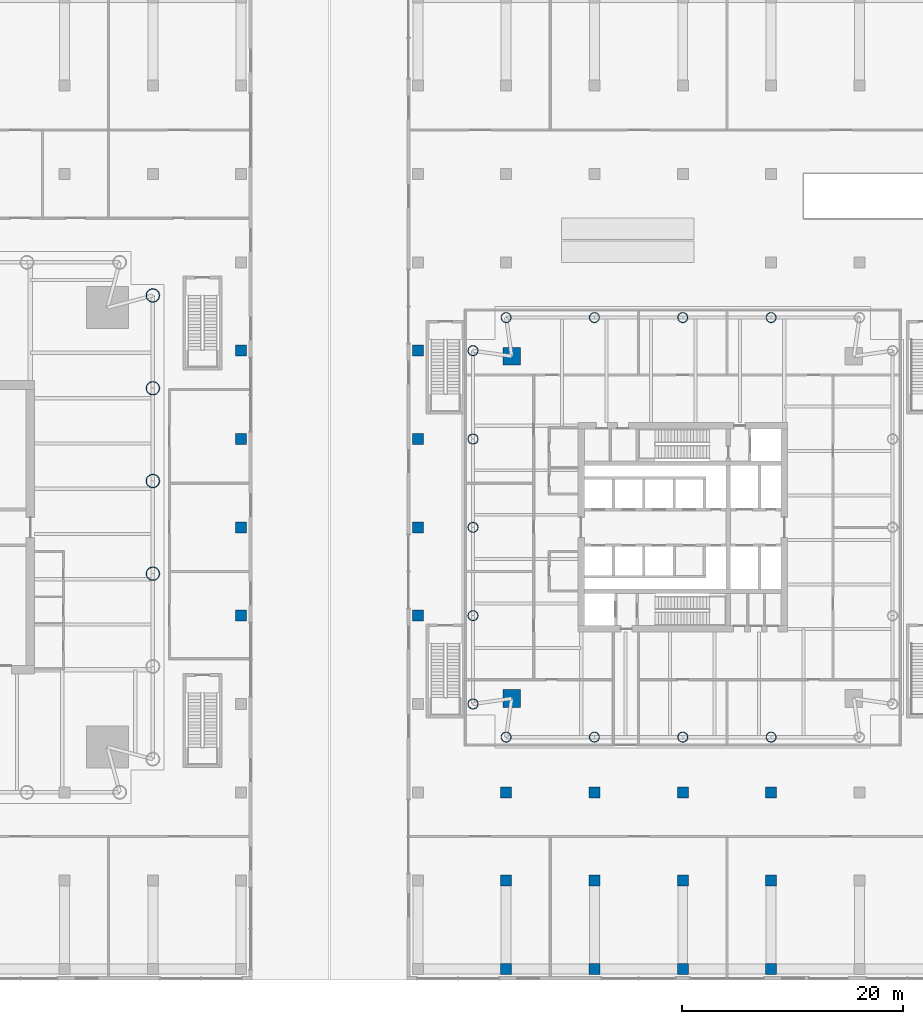
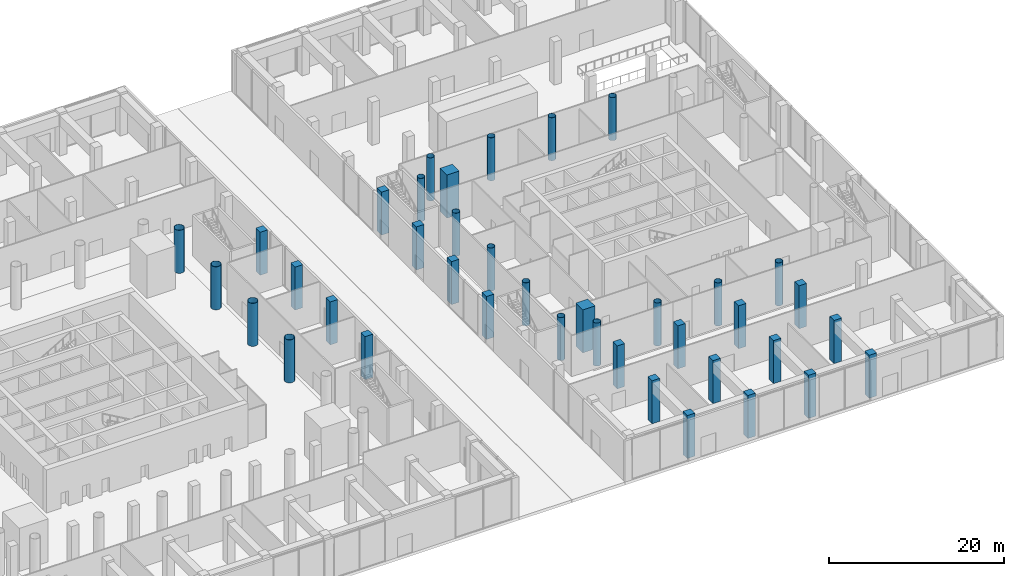
# One storey, part 2 of 39: 39 columns.
"""IFC4 building model written with IfcOpenShell, lengths in metres."""

from ifc_helpers import new_model, si_unit, direction, frame, origin, origin_2d, place, context, subcontext, project, spatial, rectangle, hollow_circle, extrude, material, material_profile, profile_set, type_object, element, save


model = new_model("IFC4")

# Units and contexts
model_context = context("Model", 3, precision=1e-05, world=origin(), true_north=direction((0.0, 1.0)))
body_context = subcontext(model_context, "Body", "Model", "MODEL_VIEW")
ifc_project = project(units=[si_unit("LENGTHUNIT", "METRE"), si_unit("AREAUNIT", "SQUARE_METRE"), si_unit("VOLUMEUNIT", "CUBIC_METRE"), si_unit("PLANEANGLEUNIT", "RADIAN"), si_unit("MASSUNIT", "GRAM", prefix="KILO")], contexts=[model_context])

# Site, building, storey
site_placement = place(None, origin())
site = spatial("IfcSite", under=ifc_project, at=site_placement, CompositionType="ELEMENT")
building_placement = place(site_placement, origin())
building = spatial("IfcBuilding", under=site, at=building_placement, Name="Ostroluk Exchange", CompositionType="ELEMENT")
storey_placement = place(building_placement, origin())
storey = spatial("IfcBuildingStorey", under=building, at=storey_placement, Name="L00", CompositionType="ELEMENT", Elevation=0.0)

# Columns
ifc_material_1 = material(Name="Concrete C50/60", Category="concrete")
ifc_material_profile_1 = material_profile(ifc_material_1, rectangle(XDim=1.60009765625, YDim=1.60009765625, at=origin_2d()), Name="RC 1600x1600")
ifc_profile_set_1 = profile_set([ifc_material_profile_1], Name="Concrete C50/60")
column_type_1 = type_object("IfcColumnType", Name="Mega column RC 1600x1600", PredefinedType="COLUMN", material=ifc_profile_set_1)
for number, where, z_axis, x_axis, name in (
    (1, (101.5, 61.5, 0.0), (0.0, 0.0, 1.0), (1.0, 0.0, 0.0), "T2 mega column NW"),
    (2, (101.5, 30.5, 0.0), (0.0, 0.0, 1.0), (1.0, 0.0, 0.0), "T2 mega column SW"),
):
    element("IfcColumn", number, at=place(storey_placement, frame(where, z_axis=z_axis, x_axis=x_axis)), inside=storey, type_object=column_type_1, Name=name, PredefinedType="COLUMN", context=body_context, shape_type="SweptSolid", body=[
        extrude(rectangle(XDim=1.60009765625, YDim=1.60009765625, at=origin_2d()), origin(), (0.0, 0.0, 1.0), 6.0),
    ])
ifc_material_2 = material(Name="Steel S460", Category="steel")
ifc_material_profile_2 = material_profile(ifc_material_2, hollow_circle(Radius=0.609619140625, WallThickness=0.0400390625, at=origin_2d()), Name="CHS 1219x40")
ifc_profile_set_2 = profile_set([ifc_material_profile_2], Name="Steel S460")
column_type_2 = type_object("IfcColumnType", Name="Perimeter column CHS 1219x40", PredefinedType="COLUMN", material=ifc_profile_set_2)
for number, where, z_axis, x_axis, name in (
    (3, (69.0, 67.0, 0.0), (0.0, 0.0, 1.0), (1.0, 0.0, 0.0), "T1 east face column E1"),
    (4, (69.0, 41.800048828125, 0.0), (0.0, 0.0, 1.0), (1.0, 0.0, 0.0), "T1 east face column I2"),
    (5, (69.0, 50.199951171875, 0.0), (0.0, 0.0, 1.0), (1.0, 0.0, 0.0), "T1 east face column I3"),
    (6, (69.0, 58.60009765625, 0.0), (0.0, 0.0, 1.0), (1.0, 0.0, 0.0), "T1 east face column I4"),
):
    element("IfcColumn", number, at=place(storey_placement, frame(where, z_axis=z_axis, x_axis=x_axis)), inside=storey, type_object=column_type_2, Name=name, PredefinedType="COLUMN", context=body_context, shape_type="SweptSolid", body=[
        extrude(hollow_circle(Radius=0.609619140625, WallThickness=0.0400390625, at=origin_2d()), origin(), (0.0, 0.0, 1.0), 6.0),
    ])
ifc_material_3 = material(Name="Steel S460", Category="steel")
ifc_material_profile_3 = material_profile(ifc_material_3, hollow_circle(Radius=0.45703125, WallThickness=0.030029296875, at=origin_2d()), Name="CHS 914x30")
ifc_profile_set_3 = profile_set([ifc_material_profile_3], Name="Steel S460")
column_type_3 = type_object("IfcColumnType", Name="Perimeter column CHS 914x30", PredefinedType="COLUMN", material=ifc_profile_set_3)
for number, where, z_axis, x_axis, name in (
    (7, (101.0, 65.0, 0.0), (0.0, 0.0, 1.0), (1.0, 0.0, 0.0), "T2 north face column E1"),
    (8, (125.0, 65.0, 0.0), (0.0, 0.0, 1.0), (1.0, 0.0, 0.0), "T2 north face column I1"),
    (9, (117.0, 65.0, 0.0), (0.0, 0.0, 1.0), (1.0, 0.0, 0.0), "T2 north face column I2"),
    (10, (109.0, 65.0, 0.0), (0.0, 0.0, 1.0), (1.0, 0.0, 0.0), "T2 north face column I3"),
    (11, (98.0, 62.0, 0.0), (0.0, 0.0, 1.0), (1.0, 0.0, 0.0), "T2 west face column E0"),
    (12, (98.0, 30.0, 0.0), (0.0, 0.0, 1.0), (1.0, 0.0, 0.0), "T2 west face column E1"),
    (13, (98.0, 54.0, 0.0), (0.0, 0.0, 1.0), (1.0, 0.0, 0.0), "T2 west face column I1"),
    (14, (98.0, 46.0, 0.0), (0.0, 0.0, 1.0), (1.0, 0.0, 0.0), "T2 west face column I2"),
    (15, (98.0, 38.0, 0.0), (0.0, 0.0, 1.0), (1.0, 0.0, 0.0), "T2 west face column I3"),
    (16, (101.0, 27.0, 0.0), (0.0, 0.0, 1.0), (1.0, 0.0, 0.0), "T2 south face column E0"),
    (17, (109.0, 27.0, 0.0), (0.0, 0.0, 1.0), (1.0, 0.0, 0.0), "T2 south face column I1"),
    (18, (117.0, 27.0, 0.0), (0.0, 0.0, 1.0), (1.0, 0.0, 0.0), "T2 south face column I2"),
    (19, (125.0, 27.0, 0.0), (0.0, 0.0, 1.0), (1.0, 0.0, 0.0), "T2 south face column I3"),
):
    element("IfcColumn", number, at=place(storey_placement, frame(where, z_axis=z_axis, x_axis=x_axis)), inside=storey, type_object=column_type_3, Name=name, PredefinedType="COLUMN", context=body_context, shape_type="SweptSolid", body=[
        extrude(hollow_circle(Radius=0.45703125, WallThickness=0.030029296875, at=origin_2d()), origin(), (0.0, 0.0, 1.0), 6.0),
    ])
ifc_material_4 = material(Name="Concrete C50/60", Category="concrete")
ifc_material_profile_4 = material_profile(ifc_material_4, rectangle(XDim=1.0, YDim=1.0, at=origin_2d()), Name="RC 1000x1000")
ifc_profile_set_4 = profile_set([ifc_material_profile_4], Name="Concrete C50/60")
column_type_4 = type_object("IfcColumnType", Name="Podium column RC 1000x1000", PredefinedType="COLUMN", material=ifc_profile_set_4)
for number, where, z_axis, x_axis, name in (
    (20, (77.0, 38.0, 0.0), (0.0, 0.0, 1.0), (1.0, 0.0, 0.0), "Podium column 77/38"),
    (21, (77.0, 46.0, 0.0), (0.0, 0.0, 1.0), (1.0, 0.0, 0.0), "Podium column 77/46"),
    (22, (77.0, 54.0, 0.0), (0.0, 0.0, 1.0), (1.0, 0.0, 0.0), "Podium column 77/54"),
    (23, (77.0, 62.0, 0.0), (0.0, 0.0, 1.0), (1.0, 0.0, 0.0), "Podium column 77/62"),
    (24, (93.0, 38.0, 0.0), (0.0, 0.0, 1.0), (1.0, 0.0, 0.0), "Podium column 93/38"),
    (25, (93.0, 46.0, 0.0), (0.0, 0.0, 1.0), (1.0, 0.0, 0.0), "Podium column 93/46"),
    (26, (93.0, 54.0, 0.0), (0.0, 0.0, 1.0), (1.0, 0.0, 0.0), "Podium column 93/54"),
    (27, (93.0, 62.0, 0.0), (0.0, 0.0, 1.0), (1.0, 0.0, 0.0), "Podium column 93/62"),
    (28, (101.0, 6.0, 0.0), (0.0, 0.0, 1.0), (1.0, 0.0, 0.0), "Podium column 101/6"),
    (29, (101.0, 14.0, 0.0), (0.0, 0.0, 1.0), (1.0, 0.0, 0.0), "Podium column 101/14"),
    (30, (101.0, 22.0, 0.0), (0.0, 0.0, 1.0), (1.0, 0.0, 0.0), "Podium column 101/22"),
    (31, (109.0, 6.0, 0.0), (0.0, 0.0, 1.0), (1.0, 0.0, 0.0), "Podium column 109/6"),
    (32, (109.0, 14.0, 0.0), (0.0, 0.0, 1.0), (1.0, 0.0, 0.0), "Podium column 109/14"),
    (33, (109.0, 22.0, 0.0), (0.0, 0.0, 1.0), (1.0, 0.0, 0.0), "Podium column 109/22"),
    (34, (117.0, 6.0, 0.0), (0.0, 0.0, 1.0), (1.0, 0.0, 0.0), "Podium column 117/6"),
    (35, (117.0, 14.0, 0.0), (0.0, 0.0, 1.0), (1.0, 0.0, 0.0), "Podium column 117/14"),
    (36, (117.0, 22.0, 0.0), (0.0, 0.0, 1.0), (1.0, 0.0, 0.0), "Podium column 117/22"),
    (37, (125.0, 6.0, 0.0), (0.0, 0.0, 1.0), (1.0, 0.0, 0.0), "Podium column 125/6"),
    (38, (125.0, 14.0, 0.0), (0.0, 0.0, 1.0), (1.0, 0.0, 0.0), "Podium column 125/14"),
    (39, (125.0, 22.0, 0.0), (0.0, 0.0, 1.0), (1.0, 0.0, 0.0), "Podium column 125/22"),
):
    element("IfcColumn", number, at=place(storey_placement, frame(where, z_axis=z_axis, x_axis=x_axis)), inside=storey, type_object=column_type_4, Name=name, PredefinedType="COLUMN", context=body_context, shape_type="SweptSolid", body=[
        extrude(rectangle(XDim=1.0, YDim=1.0, at=origin_2d()), origin(), (0.0, 0.0, 1.0), 6.0),
    ])

save(model, "model.ifc")
